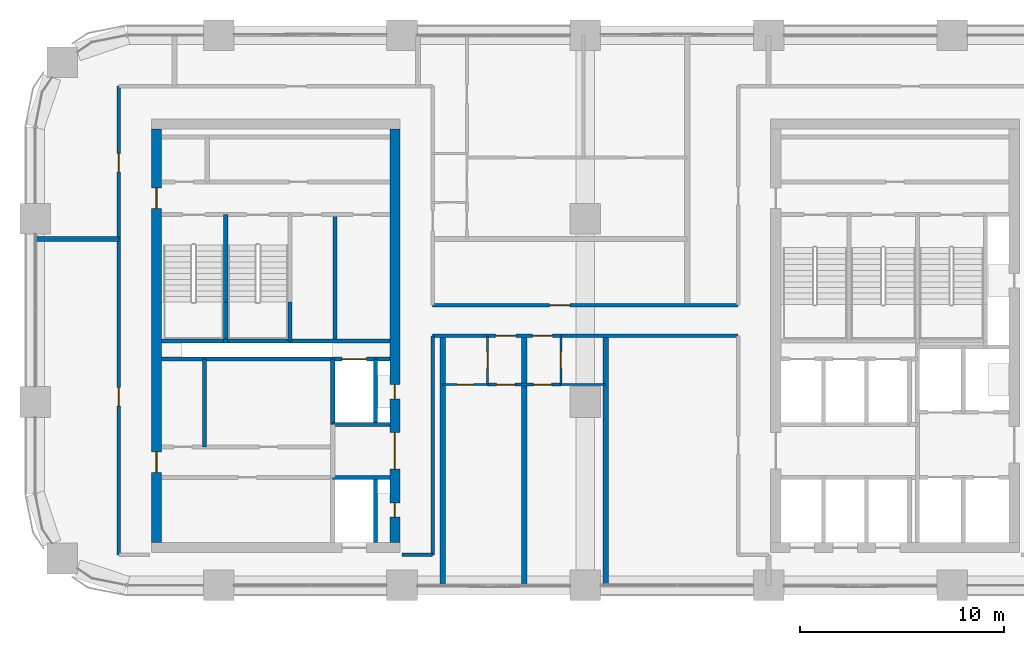
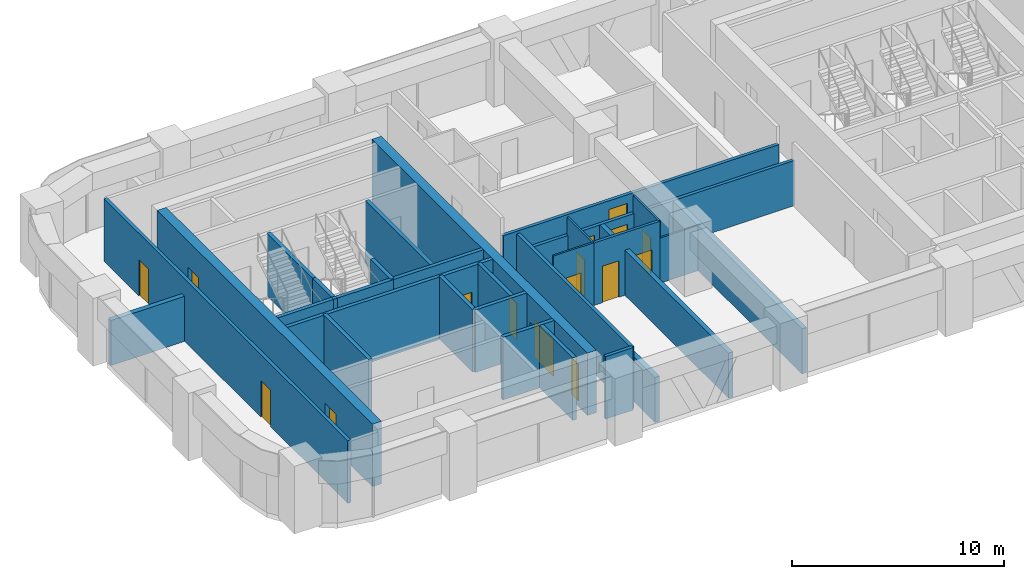
# One storey, part 9 of 14: 31 walls, 16 doors, 16 openings.
"""IFC4 building model written with IfcOpenShell, lengths in metres."""

from ifc_helpers import new_model, si_unit, direction, frame, frame_2d, origin, place, context, subcontext, project, spatial, rectangle, extrude, material, layer, layer_set, type_object, element, fill, save


model = new_model("IFC4")

# Units and contexts
model_context = context("Model", 3, precision=1e-05, world=origin(), true_north=direction((0.0, 1.0)))
body_context = subcontext(model_context, "Body", "Model", "MODEL_VIEW")
ifc_project = project(units=[si_unit("LENGTHUNIT", "METRE"), si_unit("AREAUNIT", "SQUARE_METRE"), si_unit("VOLUMEUNIT", "CUBIC_METRE"), si_unit("PLANEANGLEUNIT", "RADIAN"), si_unit("MASSUNIT", "GRAM", prefix="KILO")], contexts=[model_context])

# Site, building, storey
site_placement = place(None, origin())
site = spatial("IfcSite", under=ifc_project, at=site_placement, CompositionType="ELEMENT")
building_placement = place(site_placement, origin())
building = spatial("IfcBuilding", under=site, at=building_placement, Name="Tessera Arch", CompositionType="ELEMENT")
storey_placement = place(building_placement, frame((0.0, 0.0, 173.89990234375)))
storey = spatial("IfcBuildingStorey", under=building, at=storey_placement, Name="L41", CompositionType="ELEMENT", Elevation=173.89990234375)

# Walls
ifc_material_1 = material(Name="Gypsum board on steel stud", Category="steel")
ifc_layer_1 = layer(ifc_material_1, 0.125)
ifc_layer_set_1 = layer_set([ifc_layer_1], Name="Core partition 125 EI 60")
wall_type_1 = type_object("IfcWallType", Name="Core partition 125 EI 60", PredefinedType="PARTITIONING", material=ifc_layer_set_1)
wall_1_placement = place(storey_placement, frame((8.300048828125, 33.800048828125, 0.0), z_axis=(0.0, 0.0, 1.0), x_axis=(0.0, 1.0, 0.0)))
element("IfcWall", 1, at=wall_1_placement, inside=storey, type_object=wall_type_1, Name="L41 C2 partition wall 1", PredefinedType="PARTITIONING", context=body_context, shape_type="SweptSolid", body=[
    extrude(rectangle(XDim=4.300048828125, YDim=0.199951171875, at=frame_2d((2.14990234375, 0.0))), origin(), (0.0, 0.0, 1.0), 3.60009765625),
])
wall_2_placement = place(storey_placement, frame((14.705078125, 39.0, 0.0), z_axis=(0.0, 0.0, 1.0), x_axis=(0.0, 1.0, 0.0)))
element("IfcWall", 2, at=wall_2_placement, inside=storey, type_object=wall_type_1, Name="L41 C2 partition wall 10", PredefinedType="PARTITIONING", context=body_context, shape_type="SweptSolid", body=[
    extrude(rectangle(XDim=6.199951171875, YDim=0.199951171875, at=frame_2d((3.10009765625, 0.0))), origin(), (0.0, 0.0, 1.0), 3.60009765625),
])

# Wall, openings, doors
ifc_material_2 = material(Name="Concrete C60/75", Category="concrete")
ifc_layer_2 = layer(ifc_material_2, 0.5)
ifc_layer_set_2 = layer_set([ifc_layer_2], Name="Core shell wall 500 C60-75")
wall_type_2 = type_object("IfcWallType", Name="Core shell wall 500 C60-75", PredefinedType="SHEAR", material=ifc_layer_set_2)
wall_3_placement = place(storey_placement, frame((5.949951171875, 29.10009765625, 0.0), z_axis=(0.0, 0.0, 1.0), x_axis=(0.0, 1.0, 0.0)))
wall_3 = element("IfcWall", 3, at=wall_3_placement, inside=storey, type_object=wall_type_2, Name="L41 C2 core wall W", PredefinedType="SHEAR", context=body_context, shape_type="SweptSolid", body=[
    extrude(rectangle(XDim=20.2998046875, YDim=0.5, at=frame_2d((10.14990234375, 0.0))), origin(), (0.0, 0.0, 1.0), 3.60009765625),
])
opening_1_placement = place(wall_3_placement, frame((3.449951171875, 0.0, 0.0)))
opening_1 = element("IfcOpeningElement", 4, at=opening_1_placement, cuts=wall_3, Name="Opening L41-C26", PredefinedType="OPENING", context=body_context, shape_type="SweptSolid", body=[
    extrude(rectangle(XDim=1.0, YDim=2.10009765625, at=frame_2d((0.5, 1.050048828125))), frame((0.0, 0.260009765625, 0.0), z_axis=(0.0, -1.0, 0.0), x_axis=(1.0, 0.0, 0.0)), (0.0, 0.0, 1.0), 0.52001953125),
])
opening_2_placement = place(wall_3_placement, frame((16.39990234375, 0.0, 0.0)))
opening_2 = element("IfcOpeningElement", 5, at=opening_2_placement, cuts=wall_3, Name="Opening L41-C27", PredefinedType="OPENING", context=body_context, shape_type="SweptSolid", body=[
    extrude(rectangle(XDim=1.0, YDim=2.10009765625, at=frame_2d((0.5, 1.050048828125))), frame((0.0, 0.260009765625, 0.0), z_axis=(0.0, -1.0, 0.0), x_axis=(1.0, 0.0, 0.0)), (0.0, 0.0, 1.0), 0.52001953125),
])
ifc_material_3 = material(Name="Steel door leaf", Category="steel")
door_type_1 = type_object("IfcDoorType", Name="Corridor door FD60 1000 x 2100", OperationType="SINGLE_SWING_LEFT", PredefinedType="DOOR", material=ifc_material_3)
door_1_placement = place(opening_1_placement, origin())
door_1 = element("IfcDoor", 6, at=door_1_placement, inside=storey, type_object=door_type_1, Name="L41 C2 door 8 C26 type D12", OperationType="SINGLE_SWING_LEFT", OverallHeight=2.10009765625, OverallWidth=1.0, PredefinedType="DOOR", context=body_context, shape_type="SweptSolid", body=[
    extrude(rectangle(XDim=1.0, YDim=2.10009765625, at=frame_2d((0.5, 1.050048828125))), frame((0.0, 0.02490234375, 0.0), z_axis=(0.0, -1.0, 0.0), x_axis=(1.0, 0.0, 0.0)), (0.0, 0.0, 1.0), 0.050048828125),
])
fill(opening_1, door_1)
door_2_placement = place(opening_2_placement, origin())
door_2 = element("IfcDoor", 7, at=door_2_placement, inside=storey, type_object=door_type_1, Name="L41 C2 door 9 C27 type D12", OperationType="SINGLE_SWING_RIGHT", OverallHeight=2.10009765625, OverallWidth=1.0, PredefinedType="DOOR", context=body_context, shape_type="SweptSolid", body=[
    extrude(rectangle(XDim=1.0, YDim=2.10009765625, at=frame_2d((0.5, 1.050048828125))), frame((0.0, 0.02490234375, 0.0), z_axis=(0.0, -1.0, 0.0), x_axis=(1.0, 0.0, 0.0)), (0.0, 0.0, 1.0), 0.050048828125),
])
fill(opening_2, door_2)

wall_4_placement = place(storey_placement, frame((17.64990234375, 29.10009765625, 0.0), z_axis=(0.0, 0.0, 1.0), x_axis=(0.0, 1.0, 0.0)))
wall_4 = element("IfcWall", 8, at=wall_4_placement, inside=storey, type_object=wall_type_2, Name="L41 C2 core wall E", PredefinedType="SHEAR", context=body_context, shape_type="SweptSolid", body=[
    extrude(rectangle(XDim=20.2998046875, YDim=0.5, at=frame_2d((10.14990234375, 0.0))), origin(), (0.0, 0.0, 1.0), 3.60009765625),
])
opening_3_placement = place(wall_4_placement, frame((1.25, 0.0, 0.0)))
opening_3 = element("IfcOpeningElement", 9, at=opening_3_placement, cuts=wall_4, Name="Opening L41-C21", PredefinedType="OPENING", context=body_context, shape_type="SweptSolid", body=[
    extrude(rectangle(XDim=0.699951171875, YDim=2.10009765625, at=frame_2d((0.35009765625, 1.050048828125))), frame((0.0, 0.260009765625, 0.0), z_axis=(0.0, -1.0, 0.0), x_axis=(1.0, 0.0, 0.0)), (0.0, 0.0, 1.0), 0.52001953125),
])
opening_4_placement = place(wall_4_placement, frame((7.050048828125, 0.0, 0.0)))
opening_4 = element("IfcOpeningElement", 10, at=opening_4_placement, cuts=wall_4, Name="Opening L41-C22", PredefinedType="OPENING", context=body_context, shape_type="SweptSolid", body=[
    extrude(rectangle(XDim=0.699951171875, YDim=2.10009765625, at=frame_2d((0.35009765625, 1.050048828125))), frame((0.0, 0.260009765625, 0.0), z_axis=(0.0, -1.0, 0.0), x_axis=(1.0, 0.0, 0.0)), (0.0, 0.0, 1.0), 0.52001953125),
])
opening_5_placement = place(wall_4_placement, frame((3.60009765625, 0.0, 0.0)))
opening_5 = element("IfcOpeningElement", 11, at=opening_5_placement, cuts=wall_4, Name="Opening L41-C25", PredefinedType="OPENING", context=body_context, shape_type="SweptSolid", body=[
    extrude(rectangle(XDim=1.800048828125, YDim=2.10009765625, at=frame_2d((0.89990234375, 1.050048828125))), frame((0.0, 0.260009765625, 0.0), z_axis=(0.0, -1.0, 0.0), x_axis=(1.0, 0.0, 0.0)), (0.0, 0.0, 1.0), 0.52001953125),
])
ifc_material_4 = material(Name="Glazed steel door leaf", Category="steel")
door_type_2 = type_object("IfcDoorType", Name="Lobby double door FD30S 1800 x 2100", OperationType="DOUBLE_DOOR_SINGLE_SWING", PredefinedType="DOOR", material=ifc_material_4)
door_3_placement = place(opening_5_placement, origin())
door_3 = element("IfcDoor", 12, at=door_3_placement, inside=storey, type_object=door_type_2, Name="L41 C2 door 7 C25 type D06", OperationType="DOUBLE_DOOR_SINGLE_SWING", OverallHeight=2.10009765625, OverallWidth=1.800048828125, PredefinedType="DOOR", context=body_context, shape_type="SweptSolid", body=[
    extrude(rectangle(XDim=1.800048828125, YDim=2.10009765625, at=frame_2d((0.89990234375, 1.050048828125))), frame((0.0, 0.02490234375, 0.0), z_axis=(0.0, -1.0, 0.0), x_axis=(1.0, 0.0, 0.0)), (0.0, 0.0, 1.0), 0.050048828125),
])
fill(opening_5, door_3)
ifc_material_5 = material(Name="Steel door leaf", Category="steel")
door_type_3 = type_object("IfcDoorType", Name="Service shaft door FD60 700 x 2100", OperationType="SINGLE_SWING_LEFT", PredefinedType="DOOR", material=ifc_material_5)
door_4_placement = place(opening_3_placement, origin())
door_4 = element("IfcDoor", 13, at=door_4_placement, inside=storey, type_object=door_type_3, Name="L41 C2 door 3 C21 type D07", OperationType="SINGLE_SWING_LEFT", OverallHeight=2.10009765625, OverallWidth=0.699951171875, PredefinedType="DOOR", context=body_context, shape_type="SweptSolid", body=[
    extrude(rectangle(XDim=0.699951171875, YDim=2.10009765625, at=frame_2d((0.35009765625, 1.050048828125))), frame((0.0, 0.02490234375, 0.0), z_axis=(0.0, -1.0, 0.0), x_axis=(1.0, 0.0, 0.0)), (0.0, 0.0, 1.0), 0.050048828125),
])
fill(opening_3, door_4)
door_5_placement = place(opening_4_placement, origin())
door_5 = element("IfcDoor", 14, at=door_5_placement, inside=storey, type_object=door_type_3, Name="L41 C2 door 4 C22 type D07", OperationType="SINGLE_SWING_LEFT", OverallHeight=2.10009765625, OverallWidth=0.699951171875, PredefinedType="DOOR", context=body_context, shape_type="SweptSolid", body=[
    extrude(rectangle(XDim=0.699951171875, YDim=2.10009765625, at=frame_2d((0.35009765625, 1.050048828125))), frame((0.0, 0.02490234375, 0.0), z_axis=(0.0, -1.0, 0.0), x_axis=(1.0, 0.0, 0.0)), (0.0, 0.0, 1.0), 0.050048828125),
])
fill(opening_4, door_5)

# Wall
ifc_material_6 = material(Name="Gypsum board on deep steel stud with mineral wool", Category="steel")
ifc_layer_3 = layer(ifc_material_6, 0.175048828125)
ifc_layer_set_3 = layer_set([ifc_layer_3], Name="Corridor wall 175 EI 60")
wall_type_3 = type_object("IfcWallType", Name="Corridor wall 175 EI 60", PredefinedType="PARTITIONING", material=ifc_layer_set_3)
wall_5_placement = place(storey_placement, frame((18.0, 28.5, 0.0), z_axis=(0.0, 0.0, 1.0), x_axis=(1.0, 0.0, 0.0)))
element("IfcWall", 15, at=wall_5_placement, inside=storey, type_object=wall_type_3, Name="L41 partition 2", PredefinedType="PARTITIONING", context=body_context, shape_type="SweptSolid", body=[
    extrude(rectangle(XDim=1.5, YDim=0.175048828125, at=frame_2d((0.75, 0.0))), origin(), (0.0, 0.0, 1.0), 3.60009765625),
])

# Wall, openings, doors
wall_6_placement = place(storey_placement, frame((19.5, 39.25, 0.0), z_axis=(0.0, 0.0, 1.0), x_axis=(1.0, 0.0, 0.0)))
wall_6 = element("IfcWall", 16, at=wall_6_placement, inside=storey, type_object=wall_type_3, Name="L41 partition 5", PredefinedType="PARTITIONING", context=body_context, shape_type="SweptSolid", body=[
    extrude(rectangle(XDim=15.0, YDim=0.175048828125, at=frame_2d((7.5, 0.0))), origin(), (0.0, 0.0, 1.0), 2.60009765625),
])
opening_6_placement = place(wall_6_placement, frame((3.10009765625, 0.0, 0.0)))
opening_6 = element("IfcOpeningElement", 17, at=opening_6_placement, cuts=wall_6, Name="Opening L41-D003", PredefinedType="OPENING", context=body_context, shape_type="SweptSolid", body=[
    extrude(rectangle(XDim=1.0, YDim=2.10009765625, at=frame_2d((0.5, 1.050048828125))), frame((0.0, 0.097412109375, 0.0), z_axis=(0.0, -1.0, 0.0), x_axis=(1.0, 0.0, 0.0)), (0.0, 0.0, 1.0), 0.195068359375),
])
opening_7_placement = place(wall_6_placement, frame((4.89990234375, 0.0, 0.0)))
opening_7 = element("IfcOpeningElement", 18, at=opening_7_placement, cuts=wall_6, Name="Opening L41-D007", PredefinedType="OPENING", context=body_context, shape_type="SweptSolid", body=[
    extrude(rectangle(XDim=1.0, YDim=2.10009765625, at=frame_2d((0.5, 1.050048828125))), frame((0.0, 0.097412109375, 0.0), z_axis=(0.0, -1.0, 0.0), x_axis=(1.0, 0.0, 0.0)), (0.0, 0.0, 1.0), 0.195068359375),
])
ifc_material_7 = material(Name="Fire-rated door leaf")
door_type_4 = type_object("IfcDoorType", Name="Entrance door FD30S 1000 x 2100", OperationType="SINGLE_SWING_LEFT", PredefinedType="DOOR", material=ifc_material_7)
door_6_placement = place(opening_6_placement, origin())
door_6 = element("IfcDoor", 19, at=door_6_placement, inside=storey, type_object=door_type_4, Name="L41 door D003 type D03", OperationType="SINGLE_SWING_RIGHT", OverallHeight=2.10009765625, OverallWidth=1.0, PredefinedType="DOOR", context=body_context, shape_type="SweptSolid", body=[
    extrude(rectangle(XDim=1.0, YDim=2.10009765625, at=frame_2d((0.5, 1.050048828125))), frame((0.0, 0.02490234375, 0.0), z_axis=(0.0, -1.0, 0.0), x_axis=(1.0, 0.0, 0.0)), (0.0, 0.0, 1.0), 0.050048828125),
])
fill(opening_6, door_6)
door_7_placement = place(opening_7_placement, origin())
door_7 = element("IfcDoor", 20, at=door_7_placement, inside=storey, type_object=door_type_4, Name="L41 door D007 type D03", OperationType="SINGLE_SWING_LEFT", OverallHeight=2.10009765625, OverallWidth=1.0, PredefinedType="DOOR", context=body_context, shape_type="SweptSolid", body=[
    extrude(rectangle(XDim=1.0, YDim=2.10009765625, at=frame_2d((0.5, 1.050048828125))), frame((0.0, 0.02490234375, 0.0), z_axis=(0.0, -1.0, 0.0), x_axis=(1.0, 0.0, 0.0)), (0.0, 0.0, 1.0), 0.050048828125),
])
fill(opening_7, door_7)

# Wall, opening, door
wall_7_placement = place(storey_placement, frame((19.5, 40.75, 0.0), z_axis=(0.0, 0.0, 1.0), x_axis=(1.0, 0.0, 0.0)))
wall_7 = element("IfcWall", 21, at=wall_7_placement, inside=storey, type_object=wall_type_3, Name="L41 partition 6", PredefinedType="PARTITIONING", context=body_context, shape_type="SweptSolid", body=[
    extrude(rectangle(XDim=15.0, YDim=0.175048828125, at=frame_2d((7.5, 0.0))), origin(), (0.0, 0.0, 1.0), 2.60009765625),
])
opening_8_placement = place(wall_7_placement, frame((5.75, 0.0, 0.0)))
opening_8 = element("IfcOpeningElement", 22, at=opening_8_placement, cuts=wall_7, Name="Opening L41-D012", PredefinedType="OPENING", context=body_context, shape_type="SweptSolid", body=[
    extrude(rectangle(XDim=1.0, YDim=2.10009765625, at=frame_2d((0.5, 1.050048828125))), frame((0.0, 0.097412109375, 0.0), z_axis=(0.0, -1.0, 0.0), x_axis=(1.0, 0.0, 0.0)), (0.0, 0.0, 1.0), 0.195068359375),
])
door_8_placement = place(opening_8_placement, origin())
door_8 = element("IfcDoor", 23, at=door_8_placement, inside=storey, type_object=door_type_4, Name="L41 door D012 type D03", OperationType="SINGLE_SWING_LEFT", OverallHeight=2.10009765625, OverallWidth=1.0, PredefinedType="DOOR", context=body_context, shape_type="SweptSolid", body=[
    extrude(rectangle(XDim=1.0, YDim=2.10009765625, at=frame_2d((0.5, 1.050048828125))), frame((0.0, 0.02490234375, 0.0), z_axis=(0.0, -1.0, 0.0), x_axis=(1.0, 0.0, 0.0)), (0.0, 0.0, 1.0), 0.050048828125),
])
fill(opening_8, door_8)

# Wall, openings, doors
wall_8_placement = place(storey_placement, frame((4.10009765625, 28.5, 0.0), z_axis=(0.0, 0.0, 1.0), x_axis=(0.0, 1.0, 0.0)))
wall_8 = element("IfcWall", 24, at=wall_8_placement, inside=storey, type_object=wall_type_3, Name="L41 partition 9", PredefinedType="PARTITIONING", context=body_context, shape_type="SweptSolid", body=[
    extrude(rectangle(XDim=23.0, YDim=0.175048828125, at=frame_2d((11.5, 0.0))), origin(), (0.0, 0.0, 1.0), 3.60009765625),
])
opening_9_placement = place(wall_8_placement, frame((7.300048828125, 0.0, 0.0)))
opening_9 = element("IfcOpeningElement", 25, at=opening_9_placement, cuts=wall_8, Name="Opening L41-D010", PredefinedType="OPENING", context=body_context, shape_type="SweptSolid", body=[
    extrude(rectangle(XDim=0.89990234375, YDim=2.10009765625, at=frame_2d((0.449951171875, 1.050048828125))), frame((0.0, 0.097412109375, 0.0), z_axis=(0.0, -1.0, 0.0), x_axis=(1.0, 0.0, 0.0)), (0.0, 0.0, 1.0), 0.195068359375),
])
opening_10_placement = place(wall_8_placement, frame((18.800048828125, 0.0, 0.0)))
opening_10 = element("IfcOpeningElement", 26, at=opening_10_placement, cuts=wall_8, Name="Opening L41-D021", PredefinedType="OPENING", context=body_context, shape_type="SweptSolid", body=[
    extrude(rectangle(XDim=0.89990234375, YDim=2.10009765625, at=frame_2d((0.449951171875, 1.050048828125))), frame((0.0, 0.097412109375, 0.0), z_axis=(0.0, -1.0, 0.0), x_axis=(1.0, 0.0, 0.0)), (0.0, 0.0, 1.0), 0.195068359375),
])
ifc_material_8 = material(Name="Timber door leaf", Category="wood")
door_type_5 = type_object("IfcDoorType", Name="Room door 900 x 2100", OperationType="SINGLE_SWING_LEFT", PredefinedType="DOOR", material=ifc_material_8)
door_9_placement = place(opening_9_placement, origin())
door_9 = element("IfcDoor", 27, at=door_9_placement, inside=storey, type_object=door_type_5, Name="L41 door D010 type D01", OperationType="SINGLE_SWING_LEFT", OverallHeight=2.10009765625, OverallWidth=0.89990234375, PredefinedType="DOOR", context=body_context, shape_type="SweptSolid", body=[
    extrude(rectangle(XDim=0.89990234375, YDim=2.10009765625, at=frame_2d((0.449951171875, 1.050048828125))), frame((0.0, 0.02490234375, 0.0), z_axis=(0.0, -1.0, 0.0), x_axis=(1.0, 0.0, 0.0)), (0.0, 0.0, 1.0), 0.050048828125),
])
fill(opening_9, door_9)
door_10_placement = place(opening_10_placement, origin())
door_10 = element("IfcDoor", 28, at=door_10_placement, inside=storey, type_object=door_type_5, Name="L41 door D021 type D01", OperationType="SINGLE_SWING_RIGHT", OverallHeight=2.10009765625, OverallWidth=0.89990234375, PredefinedType="DOOR", context=body_context, shape_type="SweptSolid", body=[
    extrude(rectangle(XDim=0.89990234375, YDim=2.10009765625, at=frame_2d((0.449951171875, 1.050048828125))), frame((0.0, 0.02490234375, 0.0), z_axis=(0.0, -1.0, 0.0), x_axis=(1.0, 0.0, 0.0)), (0.0, 0.0, 1.0), 0.050048828125),
])
fill(opening_10, door_10)

# Wall
wall_9_placement = place(storey_placement, frame((19.5, 28.5, 0.0), z_axis=(0.0, 0.0, 1.0), x_axis=(0.0, 1.0, 0.0)))
element("IfcWall", 29, at=wall_9_placement, inside=storey, type_object=wall_type_3, Name="L41 partition 10", PredefinedType="PARTITIONING", context=body_context, shape_type="SweptSolid", body=[
    extrude(rectangle(XDim=10.75, YDim=0.175048828125, at=frame_2d((5.375, 0.0))), origin(), (0.0, 0.0, 1.0), 3.60009765625),
])

# Wall, openings, doors
ifc_material_9 = material(Name="Gypsum board on steel stud", Category="steel")
ifc_layer_4 = layer(ifc_material_9, 0.14990234375)
ifc_layer_set_4 = layer_set([ifc_layer_4], Name="Partition 150")
wall_type_4 = type_object("IfcWallType", Name="Partition 150", PredefinedType="PARTITIONING", material=ifc_layer_set_4)
wall_10_placement = place(storey_placement, frame((22.199951171875, 36.85009765625, 0.0), z_axis=(0.0, 0.0, 1.0), x_axis=(1.0, 0.0, 0.0)))
wall_10 = element("IfcWall", 30, at=wall_10_placement, inside=storey, type_object=wall_type_4, Name="L41 partition 15", PredefinedType="PARTITIONING", context=body_context, shape_type="SweptSolid", body=[
    extrude(rectangle(XDim=3.60009765625, YDim=0.14990234375, at=frame_2d((1.800048828125, 0.0))), origin(), (0.0, 0.0, 1.0), 3.60009765625),
])
opening_11_placement = place(wall_10_placement, frame((0.449951171875, 0.0, 0.0)))
opening_11 = element("IfcOpeningElement", 31, at=opening_11_placement, cuts=wall_10, Name="Opening L41-D004", PredefinedType="OPENING", context=body_context, shape_type="SweptSolid", body=[
    extrude(rectangle(XDim=0.89990234375, YDim=2.10009765625, at=frame_2d((0.449951171875, 1.050048828125))), frame((0.0, 0.0849609375, 0.0), z_axis=(0.0, -1.0, 0.0), x_axis=(1.0, 0.0, 0.0)), (0.0, 0.0, 1.0), 0.169921875),
])
opening_12_placement = place(wall_10_placement, frame((2.25, 0.0, 0.0)))
opening_12 = element("IfcOpeningElement", 32, at=opening_12_placement, cuts=wall_10, Name="Opening L41-D008", PredefinedType="OPENING", context=body_context, shape_type="SweptSolid", body=[
    extrude(rectangle(XDim=0.89990234375, YDim=2.10009765625, at=frame_2d((0.449951171875, 1.050048828125))), frame((0.0, 0.0849609375, 0.0), z_axis=(0.0, -1.0, 0.0), x_axis=(1.0, 0.0, 0.0)), (0.0, 0.0, 1.0), 0.169921875),
])
door_11_placement = place(opening_11_placement, origin())
door_11 = element("IfcDoor", 33, at=door_11_placement, inside=storey, type_object=door_type_5, Name="L41 door D004 type D01", OperationType="SINGLE_SWING_LEFT", OverallHeight=2.10009765625, OverallWidth=0.89990234375, PredefinedType="DOOR", context=body_context, shape_type="SweptSolid", body=[
    extrude(rectangle(XDim=0.89990234375, YDim=2.10009765625, at=frame_2d((0.449951171875, 1.050048828125))), frame((0.0, 0.02490234375, 0.0), z_axis=(0.0, -1.0, 0.0), x_axis=(1.0, 0.0, 0.0)), (0.0, 0.0, 1.0), 0.050048828125),
])
fill(opening_11, door_11)
door_12_placement = place(opening_12_placement, origin())
door_12 = element("IfcDoor", 34, at=door_12_placement, inside=storey, type_object=door_type_5, Name="L41 door D008 type D01", OperationType="SINGLE_SWING_RIGHT", OverallHeight=2.10009765625, OverallWidth=0.89990234375, PredefinedType="DOOR", context=body_context, shape_type="SweptSolid", body=[
    extrude(rectangle(XDim=0.89990234375, YDim=2.10009765625, at=frame_2d((0.449951171875, 1.050048828125))), frame((0.0, 0.02490234375, 0.0), z_axis=(0.0, -1.0, 0.0), x_axis=(1.0, 0.0, 0.0)), (0.0, 0.0, 1.0), 0.050048828125),
])
fill(opening_12, door_12)

# Walls
ifc_material_10 = material(Name="Double gypsum board on twin steel stud with acoustic mineral wool", Category="steel")
ifc_layer_5 = layer(ifc_material_10, 0.25)
ifc_layer_set_5 = layer_set([ifc_layer_5], Name="Party wall 250 EI 60")
wall_type_5 = type_object("IfcWallType", Name="Party wall 250 EI 60", PredefinedType="PARTITIONING", material=ifc_layer_set_5)
wall_11_placement = place(storey_placement, frame((0.0, 44.0, 0.0), z_axis=(0.0, 0.0, 1.0), x_axis=(1.0, 0.0, 0.0)))
element("IfcWall", 35, at=wall_11_placement, inside=storey, type_object=wall_type_5, Name="L41 partition 21", PredefinedType="PARTITIONING", context=body_context, shape_type="SweptSolid", body=[
    extrude(rectangle(XDim=4.10009765625, YDim=0.25, at=frame_2d((2.050048828125, 0.0))), origin(), (0.0, 0.0, 1.0), 2.60009765625),
])
for number, where, z_axis, x_axis, name in (
    (36, (20.0, 27.0, 0.0), (0.0, 0.0, 1.0), (0.0, 1.0, 0.0), "L41 partition 26"),
    (37, (24.0, 27.0, 0.0), (0.0, 0.0, 1.0), (0.0, 1.0, 0.0), "L41 partition 27"),
    (38, (28.0, 27.0, 0.0), (0.0, 0.0, 1.0), (0.0, 1.0, 0.0), "L41 partition 28"),
):
    element("IfcWall", number, at=place(storey_placement, frame(where, z_axis=z_axis, x_axis=x_axis)), inside=storey, type_object=wall_type_5, Name=name, PredefinedType="PARTITIONING", context=body_context, shape_type="SweptSolid", body=[
        extrude(rectangle(XDim=12.25, YDim=0.25, at=frame_2d((6.125, 0.0))), origin(), (0.0, 0.0, 1.0), 2.60009765625),
    ])
ifc_material_11 = material(Name="Concrete C40/50", Category="concrete")
ifc_layer_6 = layer(ifc_material_11, 0.199951171875)
ifc_layer_set_6 = layer_set([ifc_layer_6], Name="Shaft wall 200 EI 120")
wall_type_6 = type_object("IfcWallType", Name="Shaft wall 200 EI 120", PredefinedType="SOLIDWALL", material=ifc_layer_set_6)
wall_12_placement = place(storey_placement, frame((14.60009765625, 34.89990234375, 0.0), z_axis=(0.0, 0.0, 1.0), x_axis=(0.0, 1.0, 0.0)))
element("IfcWall", 39, at=wall_12_placement, inside=storey, type_object=wall_type_6, Name="L41 C2 shaft wall 9", PredefinedType="SOLIDWALL", context=body_context, shape_type="SweptSolid", body=[
    extrude(rectangle(XDim=3.2001953125, YDim=0.199951171875, at=frame_2d((1.60009765625, 0.0))), origin(), (0.0, 0.0, 1.0), 3.60009765625),
])
wall_13_placement = place(storey_placement, frame((16.699951171875, 29.10009765625, 0.0), z_axis=(0.0, 0.0, 1.0), x_axis=(0.0, 1.0, 0.0)))
element("IfcWall", 40, at=wall_13_placement, inside=storey, type_object=wall_type_6, Name="L41 C2 shaft wall 11", PredefinedType="SOLIDWALL", context=body_context, shape_type="SweptSolid", body=[
    extrude(rectangle(XDim=3.199951171875, YDim=0.199951171875, at=frame_2d((1.60009765625, 0.0))), origin(), (0.0, 0.0, 1.0), 3.60009765625),
])
wall_14_placement = place(storey_placement, frame((16.699951171875, 34.89990234375, 0.0), z_axis=(0.0, 0.0, 1.0), x_axis=(0.0, 1.0, 0.0)))
element("IfcWall", 41, at=wall_14_placement, inside=storey, type_object=wall_type_6, Name="L41 C2 shaft wall 12", PredefinedType="SOLIDWALL", context=body_context, shape_type="SweptSolid", body=[
    extrude(rectangle(XDim=3.2001953125, YDim=0.199951171875, at=frame_2d((1.60009765625, 0.0))), origin(), (0.0, 0.0, 1.0), 3.60009765625),
])
for number, where, z_axis, x_axis, name in (
    (42, (14.60009765625, 32.300048828125, 0.0), (0.0, 0.0, 1.0), (1.0, 0.0, 0.0), "L41 C2 shaft wall 14"),
    (43, (14.60009765625, 34.89990234375, 0.0), (0.0, 0.0, 1.0), (1.0, 0.0, 0.0), "L41 C2 shaft wall 16"),
):
    element("IfcWall", number, at=place(storey_placement, frame(where, z_axis=z_axis, x_axis=x_axis)), inside=storey, type_object=wall_type_6, Name=name, PredefinedType="SOLIDWALL", context=body_context, shape_type="SweptSolid", body=[
        extrude(rectangle(XDim=2.7998046875, YDim=0.199951171875, at=frame_2d((1.39990234375, 0.0))), origin(), (0.0, 0.0, 1.0), 3.60009765625),
    ])

# Wall, opening, door
wall_15_placement = place(storey_placement, frame((6.199951171875, 38.10009765625, 0.0), z_axis=(0.0, 0.0, 1.0), x_axis=(1.0, 0.0, 0.0)))
wall_15 = element("IfcWall", 44, at=wall_15_placement, inside=storey, type_object=wall_type_6, Name="L41 C2 shaft wall 17", PredefinedType="SOLIDWALL", context=body_context, shape_type="SweptSolid", body=[
    extrude(rectangle(XDim=11.199951171875, YDim=0.199951171875, at=frame_2d((5.60009765625, 0.0))), origin(), (0.0, 0.0, 1.0), 3.60009765625),
])
opening_13_placement = place(wall_15_placement, frame((8.85009765625, 0.0, 0.0)))
opening_13 = element("IfcOpeningElement", 45, at=opening_13_placement, cuts=wall_15, Name="Opening L41-C20", PredefinedType="OPENING", context=body_context, shape_type="SweptSolid", body=[
    extrude(rectangle(XDim=1.199951171875, YDim=2.10009765625, at=frame_2d((0.60009765625, 1.050048828125))), frame((0.0, 0.10986328125, 0.0), z_axis=(0.0, -1.0, 0.0), x_axis=(1.0, 0.0, 0.0)), (0.0, 0.0, 1.0), 0.219970703125),
])
ifc_material_12 = material(Name="Stainless steel AISI 304", Category="steel")
door_type_6 = type_object("IfcDoorType", Name="Sliding landing door 1200 x 2100", OperationType="SLIDING_TO_LEFT", PredefinedType="DOOR", material=ifc_material_12)
door_13_placement = place(opening_13_placement, origin())
door_13 = element("IfcDoor", 46, at=door_13_placement, inside=storey, type_object=door_type_6, Name="L41 HR8 lift landing door C20 type LD", OperationType="SLIDING_TO_LEFT", OverallHeight=2.10009765625, OverallWidth=1.199951171875, PredefinedType="DOOR", context=body_context, shape_type="SweptSolid", body=[
    extrude(rectangle(XDim=1.199951171875, YDim=2.10009765625, at=frame_2d((0.60009765625, 1.050048828125))), frame((0.0, 0.02490234375, 0.0), z_axis=(0.0, -1.0, 0.0), x_axis=(1.0, 0.0, 0.0)), (0.0, 0.0, 1.0), 0.050048828125),
])
fill(opening_13, door_13)

# Walls
wall_16_placement = place(storey_placement, frame((12.5, 39.0, 0.0), z_axis=(0.0, 0.0, 1.0), x_axis=(1.0, 0.0, 0.0)))
element("IfcWall", 47, at=wall_16_placement, inside=storey, type_object=wall_type_6, Name="L41 C2 shaft wall 18", PredefinedType="SOLIDWALL", context=body_context, shape_type="SweptSolid", body=[
    extrude(rectangle(XDim=4.89990234375, YDim=0.199951171875, at=frame_2d((2.449951171875, 0.0))), origin(), (0.0, 0.0, 1.0), 3.60009765625),
])
ifc_material_13 = material(Name="Concrete C40/50", Category="concrete")
ifc_layer_7 = layer(ifc_material_13, 0.199951171875)
ifc_layer_set_7 = layer_set([ifc_layer_7], Name="Stair well wall 200 REI 180")
wall_type_7 = type_object("IfcWallType", Name="Stair well wall 200 REI 180", PredefinedType="SOLIDWALL", material=ifc_layer_set_7)
wall_17_placement = place(storey_placement, frame((9.35009765625, 39.0, 0.0), z_axis=(0.0, 0.0, 1.0), x_axis=(0.0, 1.0, 0.0)))
element("IfcWall", 48, at=wall_17_placement, inside=storey, type_object=wall_type_7, Name="L41 C2 shaft wall 3", PredefinedType="SOLIDWALL", context=body_context, shape_type="SweptSolid", body=[
    extrude(rectangle(XDim=1.89990234375, YDim=0.199951171875, at=frame_2d((0.949951171875, 0.0))), origin(), (0.0, 0.0, 1.0), 3.60009765625),
])
wall_18_placement = place(storey_placement, frame((9.35009765625, 40.89990234375, 0.0), z_axis=(0.0, 0.0, 1.0), x_axis=(0.0, 1.0, 0.0)))
element("IfcWall", 49, at=wall_18_placement, inside=storey, type_object=wall_type_7, Name="L41 C2 shaft wall 4", PredefinedType="SOLIDWALL", context=body_context, shape_type="SweptSolid", body=[
    extrude(rectangle(XDim=4.300048828125, YDim=0.199951171875, at=frame_2d((2.14990234375, 0.0))), origin(), (0.0, 0.0, 1.0), 3.60009765625),
])
wall_19_placement = place(storey_placement, frame((12.5, 39.0, 0.0), z_axis=(0.0, 0.0, 1.0), x_axis=(0.0, 1.0, 0.0)))
element("IfcWall", 50, at=wall_19_placement, inside=storey, type_object=wall_type_7, Name="L41 C2 shaft wall 5", PredefinedType="SOLIDWALL", context=body_context, shape_type="SweptSolid", body=[
    extrude(rectangle(XDim=1.89990234375, YDim=0.199951171875, at=frame_2d((0.949951171875, 0.0))), origin(), (0.0, 0.0, 1.0), 3.60009765625),
])
wall_20_placement = place(storey_placement, frame((6.199951171875, 39.0, 0.0), z_axis=(0.0, 0.0, 1.0), x_axis=(1.0, 0.0, 0.0)))
element("IfcWall", 51, at=wall_20_placement, inside=storey, type_object=wall_type_7, Name="L41 C2 shaft wall 19", PredefinedType="SOLIDWALL", context=body_context, shape_type="SweptSolid", body=[
    extrude(rectangle(XDim=3.050048828125, YDim=0.199951171875, at=frame_2d((1.52490234375, 0.0))), origin(), (0.0, 0.0, 1.0), 3.60009765625),
])
wall_21_placement = place(storey_placement, frame((9.25, 39.0, 0.0), z_axis=(0.0, 0.0, 1.0), x_axis=(1.0, 0.0, 0.0)))
element("IfcWall", 52, at=wall_21_placement, inside=storey, type_object=wall_type_7, Name="L41 C2 shaft wall 20", PredefinedType="SOLIDWALL", context=body_context, shape_type="SweptSolid", body=[
    extrude(rectangle(XDim=0.199951171875, YDim=0.199951171875, at=frame_2d((0.10009765625, 0.0))), origin(), (0.0, 0.0, 1.0), 3.60009765625),
])
wall_22_placement = place(storey_placement, frame((9.449951171875, 39.0, 0.0), z_axis=(0.0, 0.0, 1.0), x_axis=(1.0, 0.0, 0.0)))
element("IfcWall", 53, at=wall_22_placement, inside=storey, type_object=wall_type_7, Name="L41 C2 shaft wall 21", PredefinedType="SOLIDWALL", context=body_context, shape_type="SweptSolid", body=[
    extrude(rectangle(XDim=3.050048828125, YDim=0.199951171875, at=frame_2d((1.52490234375, 0.0))), origin(), (0.0, 0.0, 1.0), 3.60009765625),
])

# Wall, opening, door
ifc_material_14 = material(Name="Moisture-resistant board on pre-plumbed steel stud", Category="steel")
ifc_layer_8 = layer(ifc_material_14, 0.10009765625)
ifc_layer_set_8 = layer_set([ifc_layer_8], Name="Wet wall 100")
wall_type_8 = type_object("IfcWallType", Name="Wet wall 100", PredefinedType="PARTITIONING", material=ifc_layer_set_8)
wall_23_placement = place(storey_placement, frame((20.0, 36.85009765625, 0.0), z_axis=(0.0, 0.0, 1.0), x_axis=(1.0, 0.0, 0.0)))
wall_23 = element("IfcWall", 54, at=wall_23_placement, inside=storey, type_object=wall_type_8, Name="L41 partition 32", PredefinedType="PARTITIONING", context=body_context, shape_type="SweptSolid", body=[
    extrude(rectangle(XDim=2.199951171875, YDim=0.10009765625, at=frame_2d((1.10009765625, 0.0))), origin(), (0.0, 0.0, 1.0), 3.60009765625),
])
opening_14_placement = place(wall_23_placement, frame((0.699951171875, 0.0, 0.0)))
opening_14 = element("IfcOpeningElement", 55, at=opening_14_placement, cuts=wall_23, Name="Opening L41-D006", PredefinedType="OPENING", context=body_context, shape_type="SweptSolid", body=[
    extrude(rectangle(XDim=0.800048828125, YDim=2.10009765625, at=frame_2d((0.39990234375, 1.050048828125))), frame((0.0, 0.06005859375, 0.0), z_axis=(0.0, -1.0, 0.0), x_axis=(1.0, 0.0, 0.0)), (0.0, 0.0, 1.0), 0.1201171875),
])
ifc_material_15 = material(Name="Timber door leaf", Category="wood")
door_type_7 = type_object("IfcDoorType", Name="En-suite door 800 x 2100", OperationType="SINGLE_SWING_LEFT", PredefinedType="DOOR", material=ifc_material_15)
door_14_placement = place(opening_14_placement, origin())
door_14 = element("IfcDoor", 56, at=door_14_placement, inside=storey, type_object=door_type_7, Name="L41 door D006 type D02", OperationType="SINGLE_SWING_RIGHT", OverallHeight=2.10009765625, OverallWidth=0.800048828125, PredefinedType="DOOR", context=body_context, shape_type="SweptSolid", body=[
    extrude(rectangle(XDim=0.800048828125, YDim=2.10009765625, at=frame_2d((0.39990234375, 1.050048828125))), frame((0.0, 0.02490234375, 0.0), z_axis=(0.0, -1.0, 0.0), x_axis=(1.0, 0.0, 0.0)), (0.0, 0.0, 1.0), 0.050048828125),
])
fill(opening_14, door_14)

# Wall
wall_24_placement = place(storey_placement, frame((25.800048828125, 36.85009765625, 0.0), z_axis=(0.0, 0.0, 1.0), x_axis=(1.0, 0.0, 0.0)))
element("IfcWall", 57, at=wall_24_placement, inside=storey, type_object=wall_type_8, Name="L41 partition 33", PredefinedType="PARTITIONING", context=body_context, shape_type="SweptSolid", body=[
    extrude(rectangle(XDim=2.199951171875, YDim=0.10009765625, at=frame_2d((1.10009765625, 0.0))), origin(), (0.0, 0.0, 1.0), 2.60009765625),
])

# Wall, opening, door
wall_25_placement = place(storey_placement, frame((22.199951171875, 36.85009765625, 0.0), z_axis=(0.0, 0.0, 1.0), x_axis=(0.0, 1.0, 0.0)))
wall_25 = element("IfcWall", 58, at=wall_25_placement, inside=storey, type_object=wall_type_8, Name="L41 partition 37", PredefinedType="PARTITIONING", context=body_context, shape_type="SweptSolid", body=[
    extrude(rectangle(XDim=2.39990234375, YDim=0.10009765625, at=frame_2d((1.199951171875, 0.0))), origin(), (0.0, 0.0, 1.0), 3.60009765625),
])
opening_15_placement = place(wall_25_placement, frame((0.800048828125, 0.0, 0.0)))
opening_15 = element("IfcOpeningElement", 59, at=opening_15_placement, cuts=wall_25, Name="Opening L41-D005", PredefinedType="OPENING", context=body_context, shape_type="SweptSolid", body=[
    extrude(rectangle(XDim=0.800048828125, YDim=2.10009765625, at=frame_2d((0.39990234375, 1.050048828125))), frame((0.0, 0.06005859375, 0.0), z_axis=(0.0, -1.0, 0.0), x_axis=(1.0, 0.0, 0.0)), (0.0, 0.0, 1.0), 0.1201171875),
])
door_15_placement = place(opening_15_placement, origin())
door_15 = element("IfcDoor", 60, at=door_15_placement, inside=storey, type_object=door_type_7, Name="L41 door D005 type D02", OperationType="SINGLE_SWING_LEFT", OverallHeight=2.10009765625, OverallWidth=0.800048828125, PredefinedType="DOOR", context=body_context, shape_type="SweptSolid", body=[
    extrude(rectangle(XDim=0.800048828125, YDim=2.10009765625, at=frame_2d((0.39990234375, 1.050048828125))), frame((0.0, 0.02490234375, 0.0), z_axis=(0.0, -1.0, 0.0), x_axis=(1.0, 0.0, 0.0)), (0.0, 0.0, 1.0), 0.050048828125),
])
fill(opening_15, door_15)

wall_26_placement = place(storey_placement, frame((25.800048828125, 36.85009765625, 0.0), z_axis=(0.0, 0.0, 1.0), x_axis=(0.0, 1.0, 0.0)))
wall_26 = element("IfcWall", 61, at=wall_26_placement, inside=storey, type_object=wall_type_8, Name="L41 partition 38", PredefinedType="PARTITIONING", context=body_context, shape_type="SweptSolid", body=[
    extrude(rectangle(XDim=2.39990234375, YDim=0.10009765625, at=frame_2d((1.199951171875, 0.0))), origin(), (0.0, 0.0, 1.0), 3.60009765625),
])
opening_16_placement = place(wall_26_placement, frame((0.800048828125, 0.0, 0.0)))
opening_16 = element("IfcOpeningElement", 62, at=opening_16_placement, cuts=wall_26, Name="Opening L41-D009", PredefinedType="OPENING", context=body_context, shape_type="SweptSolid", body=[
    extrude(rectangle(XDim=0.800048828125, YDim=2.10009765625, at=frame_2d((0.39990234375, 1.050048828125))), frame((0.0, 0.06005859375, 0.0), z_axis=(0.0, -1.0, 0.0), x_axis=(1.0, 0.0, 0.0)), (0.0, 0.0, 1.0), 0.1201171875),
])
door_16_placement = place(opening_16_placement, origin())
door_16 = element("IfcDoor", 63, at=door_16_placement, inside=storey, type_object=door_type_7, Name="L41 door D009 type D02", OperationType="SINGLE_SWING_LEFT", OverallHeight=2.10009765625, OverallWidth=0.800048828125, PredefinedType="DOOR", context=body_context, shape_type="SweptSolid", body=[
    extrude(rectangle(XDim=0.800048828125, YDim=2.10009765625, at=frame_2d((0.39990234375, 1.050048828125))), frame((0.0, 0.02490234375, 0.0), z_axis=(0.0, -1.0, 0.0), x_axis=(1.0, 0.0, 0.0)), (0.0, 0.0, 1.0), 0.050048828125),
])
fill(opening_16, door_16)

save(model, "model.ifc")
